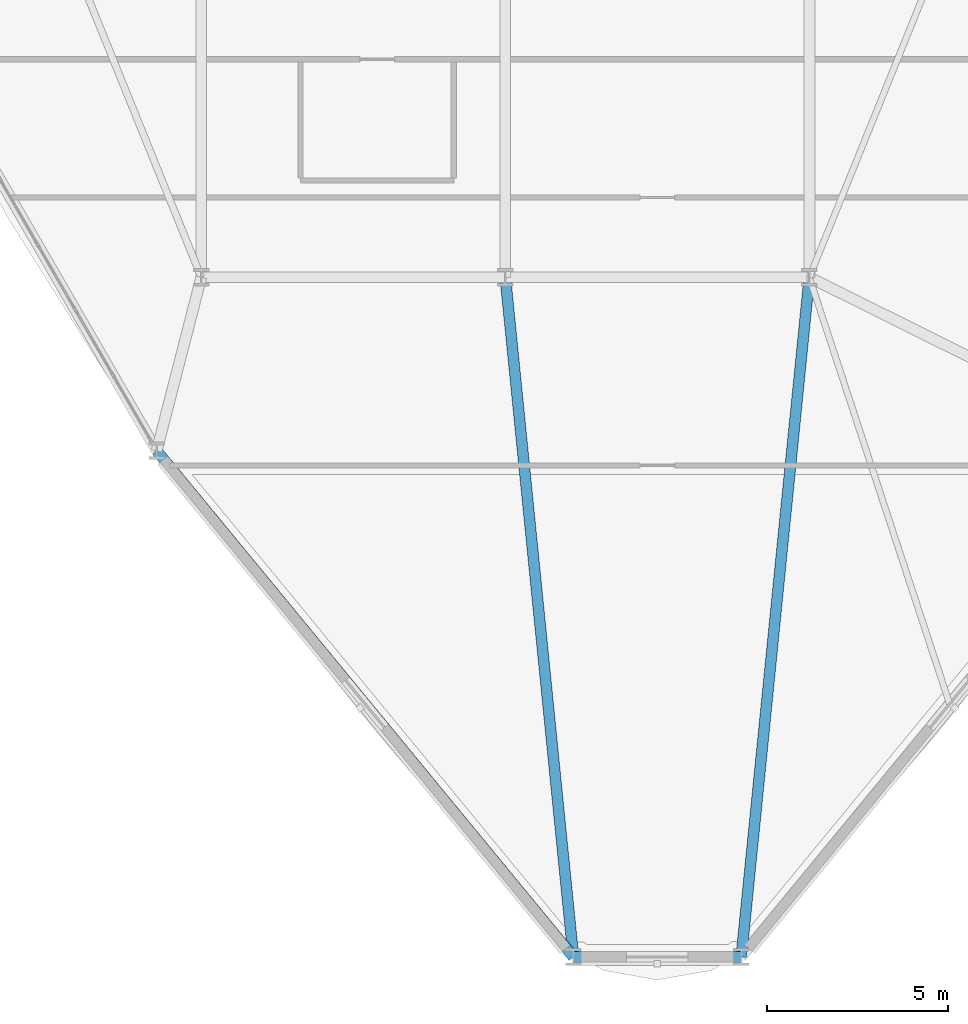
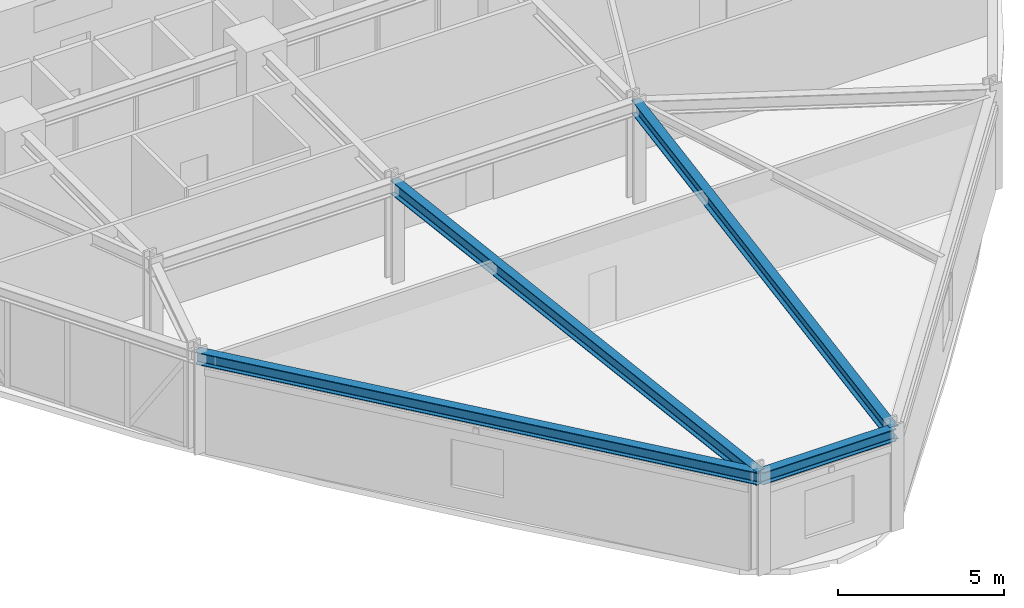
# One storey, part 3 of 20: 4 beams.
"""IFC4 building model written with IfcOpenShell, lengths in metres."""

from ifc_helpers import new_model, si_unit, derived_unit, direction, frame, origin, origin_2d, place, context, subcontext, project, spatial, i_section, extrude, source, transform, mapped, material, material_profile, profile_set, type_object, element, save


model = new_model("IFC4")

# Units and contexts
model_context = context("Model", 3, precision=1e-05, world=origin(), true_north=direction((0.0, 1.0)))
body_context = subcontext(model_context, "Body", "Model", "MODEL_VIEW")
ifc_project = project(units=[si_unit("LENGTHUNIT", "METRE"), si_unit("AREAUNIT", "SQUARE_METRE"), si_unit("VOLUMEUNIT", "CUBIC_METRE"), si_unit("PLANEANGLEUNIT", "RADIAN"), si_unit("MASSUNIT", "GRAM", prefix="KILO"), derived_unit("THERMALTRANSMITTANCEUNIT", [(si_unit("POWERUNIT", "WATT"), 1), (si_unit("LENGTHUNIT", "METRE"), -2), (si_unit("THERMODYNAMICTEMPERATUREUNIT", "KELVIN"), -1)])], contexts=[model_context])

# Site, building, storey
site_placement = place(None, origin())
site = spatial("IfcSite", under=ifc_project, at=site_placement, CompositionType="ELEMENT")
building_placement = place(site_placement, origin())
building = spatial("IfcBuilding", under=site, at=building_placement, Name="Korsvarv Bourse and Concert Hall", CompositionType="ELEMENT")
storey_placement = place(building_placement, frame((0.0, 0.0, 67.800048828125)))
storey = spatial("IfcBuildingStorey", under=building, at=storey_placement, Name="L16", CompositionType="ELEMENT", Elevation=67.800048828125)

# Beams
ifc_material = material(Name="Steel S355", Category="steel")
ifc_material_profile_1 = material_profile(ifc_material, i_section(OverallWidth=0.300048828125, OverallDepth=0.449951171875, WebThickness=0.013916015625, FlangeThickness=0.02587890625, FilletRadius=0.02099609375, at=origin_2d()), Name="HEB 450")
ifc_profile_set_1 = profile_set([ifc_material_profile_1], Name="Steel S355")
beam_type_1 = type_object("IfcBeamType", Name="BM-HEB450", PredefinedType="SPANDREL", material=ifc_profile_set_1)
shared_shape_1 = source(origin(), body_context, "Body", "SweptSolid", [
    extrude(i_section(OverallWidth=0.300048828125, OverallDepth=0.449951171875, WebThickness=0.013916015625, FlangeThickness=0.02587890625, FilletRadius=0.02099609375, at=origin_2d()), origin(), (0.0, 0.0, 1.0), 4.637939453125),
])
beam_1_placement = place(storey_placement, frame((37.881103515625, 5.218994140625, 3.454833984375), z_axis=(1.0, 0.0, 0.0), x_axis=(0.0, 1.0, 0.0)))
element("IfcBeam", 1, at=beam_1_placement, inside=storey, type_object=beam_type_1, Name="L16 beam B-08", PredefinedType="SPANDREL", context=body_context, shape_type="MappedRepresentation", body=[
    mapped(shared_shape_1, transform((0.0, 0.0, 0.0), scale=1.0)),
])
shared_shape_2 = source(origin(), body_context, "Body", "SweptSolid", [
    extrude(i_section(OverallWidth=0.300048828125, OverallDepth=0.449951171875, WebThickness=0.013916015625, FlangeThickness=0.02587890625, FilletRadius=0.02099609375, at=origin_2d()), origin(), (0.0, 0.0, 1.0), 18.117431640625),
])
beam_2_placement = place(storey_placement, frame((26.36669921875, 19.206787109375, 3.454833984375), z_axis=(0.635544282578, -0.772064417573, 0.0), x_axis=(0.772064417573, 0.635544282578, 0.0)))
element("IfcBeam", 2, at=beam_2_placement, inside=storey, type_object=beam_type_1, Name="L16 beam B-08", PredefinedType="SPANDREL", context=body_context, shape_type="MappedRepresentation", body=[
    mapped(shared_shape_2, transform((0.0, 0.0, 0.0), scale=1.0)),
])
ifc_material_profile_2 = material_profile(ifc_material, i_section(OverallWidth=0.300048828125, OverallDepth=0.5, WebThickness=0.014404296875, FlangeThickness=0.028076171875, FilletRadius=0.02392578125, at=origin_2d()), Name="HEB 500")
ifc_profile_set_2 = profile_set([ifc_material_profile_2], Name="Steel S355")
beam_type_2 = type_object("IfcBeamType", Name="BM-HEB500", PredefinedType="BEAM", material=ifc_profile_set_2)
shared_shape_3 = source(origin(), body_context, "Body", "SweptSolid", [
    extrude(i_section(OverallWidth=0.300048828125, OverallDepth=0.5, WebThickness=0.014404296875, FlangeThickness=0.028076171875, FilletRadius=0.02392578125, at=origin_2d()), origin(), (0.0, 0.0, 1.0), 18.875),
])
for number, where, z_axis, x_axis, name in (
    (3, (37.881103515625, 5.218994140625, 3.429931640625), (-0.09966123838, 0.995021425681, 0.0), (-0.995021425681, -0.09966123838, 0.0), "L16 beam B-07"),
    (4, (42.51904296875, 5.218994140625, 3.429931640625), (0.099648432208, 0.995022708263, 0.0), (-0.995022708263, 0.099648432208, 0.0), "L16 beam B-07"),
):
    element("IfcBeam", number, at=place(storey_placement, frame(where, z_axis=z_axis, x_axis=x_axis)), inside=storey, type_object=beam_type_2, Name=name, PredefinedType="BEAM", context=body_context, shape_type="MappedRepresentation", body=[
        mapped(shared_shape_3, transform((0.0, 0.0, 0.0), scale=1.0)),
    ])

save(model, "model.ifc")
